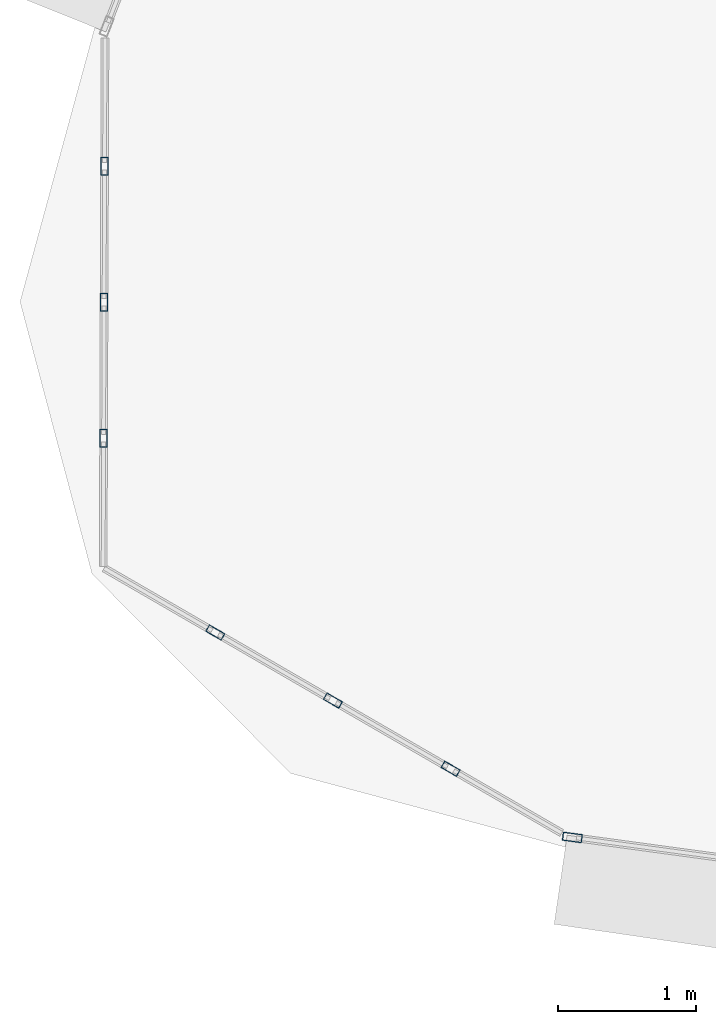
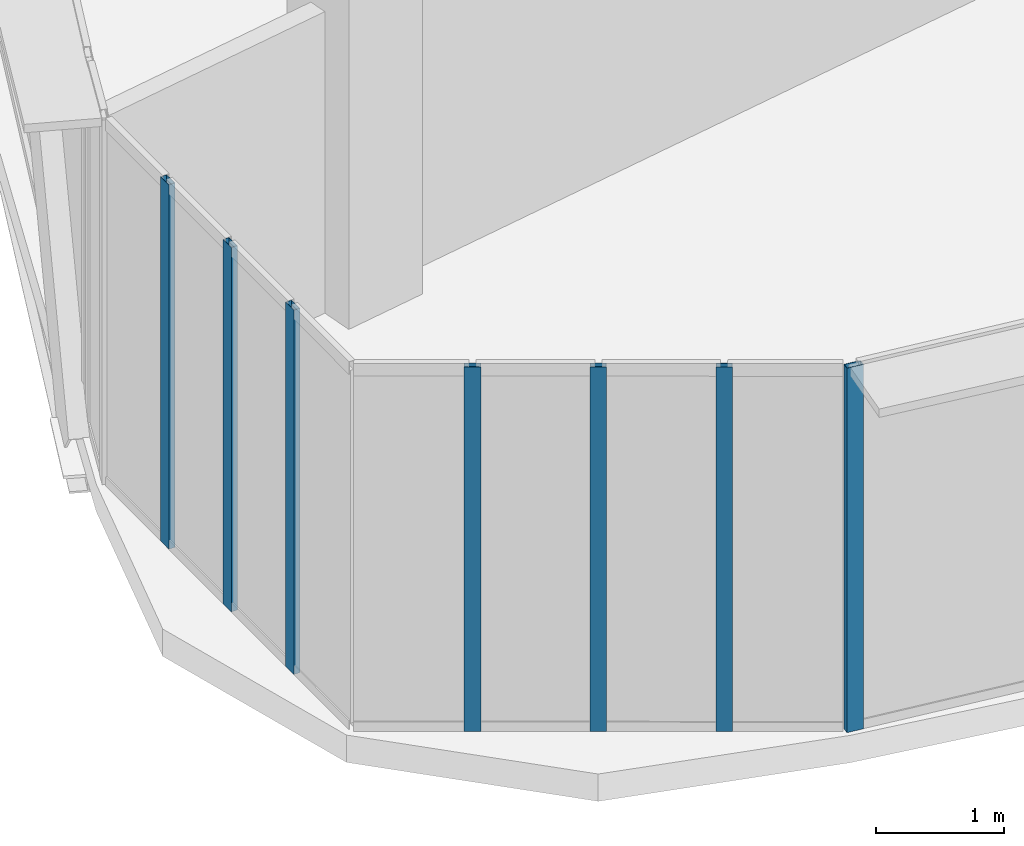
# One storey, part 2 of 40: 7 members, 3 elements without a shape of their own.
"""IFC4 building model written with IfcOpenShell, lengths in metres."""

from ifc_helpers import new_model, si_unit, direction, frame, origin, origin_2d, place, context, subcontext, project, spatial, hollow_rectangle, extrude, source, transform, mapped, material, layer, layer_set, material_profile, profile_set, type_object, element, aggregate, save


model = new_model("IFC4")

# Units and contexts
model_context = context("Model", 3, precision=1e-05, world=origin(), true_north=direction((0.0, 1.0)))
body_context = subcontext(model_context, "Body", "Model", "MODEL_VIEW")
ifc_project = project(units=[si_unit("LENGTHUNIT", "METRE"), si_unit("AREAUNIT", "SQUARE_METRE"), si_unit("VOLUMEUNIT", "CUBIC_METRE"), si_unit("PLANEANGLEUNIT", "RADIAN"), si_unit("MASSUNIT", "GRAM", prefix="KILO"), si_unit("THERMODYNAMICTEMPERATUREUNIT", "KELVIN"), si_unit("POWERUNIT", "WATT")], contexts=[model_context])

# Site, building, storey
site_placement = place(None, origin())
site = spatial("IfcSite", under=ifc_project, at=site_placement, CompositionType="ELEMENT")
building_placement = place(site_placement, origin())
building = spatial("IfcBuilding", under=site, at=building_placement, Name="Yunzhuo Pagoda Commons", CompositionType="ELEMENT")
storey_placement = place(building_placement, frame((0.0, 0.0, 288.75)))
storey = spatial("IfcBuildingStorey", under=building, at=storey_placement, Name="L72", CompositionType="ELEMENT", Elevation=288.75)

# Curtain wall, member
ifc_material = material(Name="Anodized aluminium 6063-T6", Category="aluminium")
ifc_layer_1 = layer(ifc_material, 0.139892578125)
ifc_layer_set_1 = layer_set([ifc_layer_1], Name="Anodized aluminium 6063-T6")
curtain_wall_type_1 = type_object("IfcCurtainWallType", Name="CW-HI High-Zone Ribbon Curtain Wall", PredefinedType="NOTDEFINED", material=ifc_layer_set_1)
curtain_wall_1_placement = place(storey_placement, origin())
curtain_wall_1 = element("IfcCurtainWall", 1, at=curtain_wall_1_placement, inside=storey, type_object=curtain_wall_type_1, Name="L72 curtain wall CW-L72-F1B1", PredefinedType="NOTDEFINED")
ifc_material_profile_1 = material_profile(ifc_material, hollow_rectangle(XDim=0.06005859375, YDim=0.139892578125, WallThickness=0.00341796875, at=origin_2d()), Name="Anodized aluminium 6063-T6")
ifc_profile_set_1 = profile_set([ifc_material_profile_1], Name="Anodized aluminium 6063-T6")
member_type_1 = type_object("IfcMemberType", Name="CW-HI-M Mullion RHS 140x60x3.5", PredefinedType="MULLION", material=ifc_profile_set_1)
shared_shape_1 = source(origin(), body_context, "Body", "SweptSolid", [
    extrude(hollow_rectangle(XDim=0.06005859375, YDim=0.139892578125, WallThickness=0.00341796875, at=origin_2d()), origin(), (0.0, 0.0, 1.0), 3.469970703125),
])
member_1_placement = place(storey_placement, frame((19.729736328125, 21.540283203125, 0.0), z_axis=(0.0, 0.0, 1.0), x_axis=(0.134853980826, 0.99086548222, 0.0)))
member_1 = element("IfcMember", 2, at=member_1_placement, type_object=member_type_1, Name="CW mullion 1", PredefinedType="MULLION", context=body_context, shape_type="MappedRepresentation", body=[
    mapped(shared_shape_1, transform((0.0, 0.0, 0.0), scale=1.0)),
])
aggregate(curtain_wall_1, [member_1])

# Curtain wall, members
ifc_layer_2 = layer(ifc_material, 0.1298828125)
ifc_layer_set_2 = layer_set([ifc_layer_2], Name="Anodized aluminium 6063-T6")
curtain_wall_type_2 = type_object("IfcCurtainWallType", Name="CW-VTX Rounded Corner Curtain Wall", PredefinedType="NOTDEFINED", material=ifc_layer_set_2)
curtain_wall_2_placement = place(storey_placement, origin())
curtain_wall_2 = element("IfcCurtainWall", 3, at=curtain_wall_2_placement, inside=storey, type_object=curtain_wall_type_2, Name="L72 curtain wall CW-L72-VTX1S1", PredefinedType="NOTDEFINED")
ifc_material_profile_2 = material_profile(ifc_material, hollow_rectangle(XDim=0.054931640625, YDim=0.1298828125, WallThickness=0.00341796875, at=origin_2d()), Name="Anodized aluminium 6063-T6")
ifc_profile_set_2 = profile_set([ifc_material_profile_2], Name="Anodized aluminium 6063-T6")
member_type_2 = type_object("IfcMemberType", Name="CW-VTX-M Mullion RHS 130x55x3.5", PredefinedType="MULLION", material=ifc_profile_set_2)
shared_shape_2 = source(origin(), body_context, "Body", "SweptSolid", [
    extrude(hollow_rectangle(XDim=0.054931640625, YDim=0.1298828125, WallThickness=0.00341796875, at=origin_2d()), origin(), (0.0, 0.0, 1.0), 3.469970703125),
])
member_2_placement = place(storey_placement, frame((16.351318359375, 26.388427734375, 0.0), z_axis=(0.0, 0.0, 1.0), x_axis=(0.999993556089, -0.003589955472, 0.0)))
member_2 = element("IfcMember", 4, at=member_2_placement, type_object=member_type_2, Name="CW mullion 2", PredefinedType="MULLION", context=body_context, shape_type="MappedRepresentation", body=[
    mapped(shared_shape_2, transform((0.0, 0.0, 0.0), scale=1.0)),
])
member_3_placement = place(storey_placement, frame((16.347900390625, 25.406494140625, 0.0), z_axis=(0.0, 0.0, 1.0), x_axis=(0.999993556089, -0.003589955472, 0.0)))
member_3 = element("IfcMember", 5, at=member_3_placement, type_object=member_type_2, Name="CW mullion 3", PredefinedType="MULLION", context=body_context, shape_type="MappedRepresentation", body=[
    mapped(shared_shape_2, transform((0.0, 0.0, 0.0), scale=1.0)),
])
member_4_placement = place(storey_placement, frame((16.34423828125, 24.4248046875, 0.0), z_axis=(0.0, 0.0, 1.0), x_axis=(0.999993556089, -0.003589955472, 0.0)))
member_4 = element("IfcMember", 6, at=member_4_placement, type_object=member_type_2, Name="CW mullion 4", PredefinedType="MULLION", context=body_context, shape_type="MappedRepresentation", body=[
    mapped(shared_shape_2, transform((0.0, 0.0, 0.0), scale=1.0)),
])
aggregate(curtain_wall_2, [member_2, member_3, member_4])

curtain_wall_3_placement = place(storey_placement, origin())
curtain_wall_3 = element("IfcCurtainWall", 7, at=curtain_wall_3_placement, inside=storey, type_object=curtain_wall_type_2, Name="L72 curtain wall CW-L72-VTX1S2", PredefinedType="NOTDEFINED")
member_5_placement = place(storey_placement, frame((17.150634765625, 23.020263671875, 0.0), z_axis=(0.0, 0.0, 1.0), x_axis=(0.501017201245, 0.86543732532, 0.0)))
member_5 = element("IfcMember", 8, at=member_5_placement, type_object=member_type_2, Name="CW mullion 2", PredefinedType="MULLION", context=body_context, shape_type="MappedRepresentation", body=[
    mapped(shared_shape_2, transform((0.0, 0.0, 0.0), scale=1.0)),
])
member_6_placement = place(storey_placement, frame((18.00048828125, 22.5283203125, 0.0), z_axis=(0.0, 0.0, 1.0), x_axis=(0.501017201245, 0.86543732532, 0.0)))
member_6 = element("IfcMember", 9, at=member_6_placement, type_object=member_type_2, Name="CW mullion 3", PredefinedType="MULLION", context=body_context, shape_type="MappedRepresentation", body=[
    mapped(shared_shape_2, transform((0.0, 0.0, 0.0), scale=1.0)),
])
member_7_placement = place(storey_placement, frame((18.850341796875, 22.036376953125, 0.0), z_axis=(0.0, 0.0, 1.0), x_axis=(0.501017201245, 0.86543732532, 0.0)))
member_7 = element("IfcMember", 10, at=member_7_placement, type_object=member_type_2, Name="CW mullion 4", PredefinedType="MULLION", context=body_context, shape_type="MappedRepresentation", body=[
    mapped(shared_shape_2, transform((0.0, 0.0, 0.0), scale=1.0)),
])
aggregate(curtain_wall_3, [member_5, member_6, member_7])

save(model, "model.ifc")
